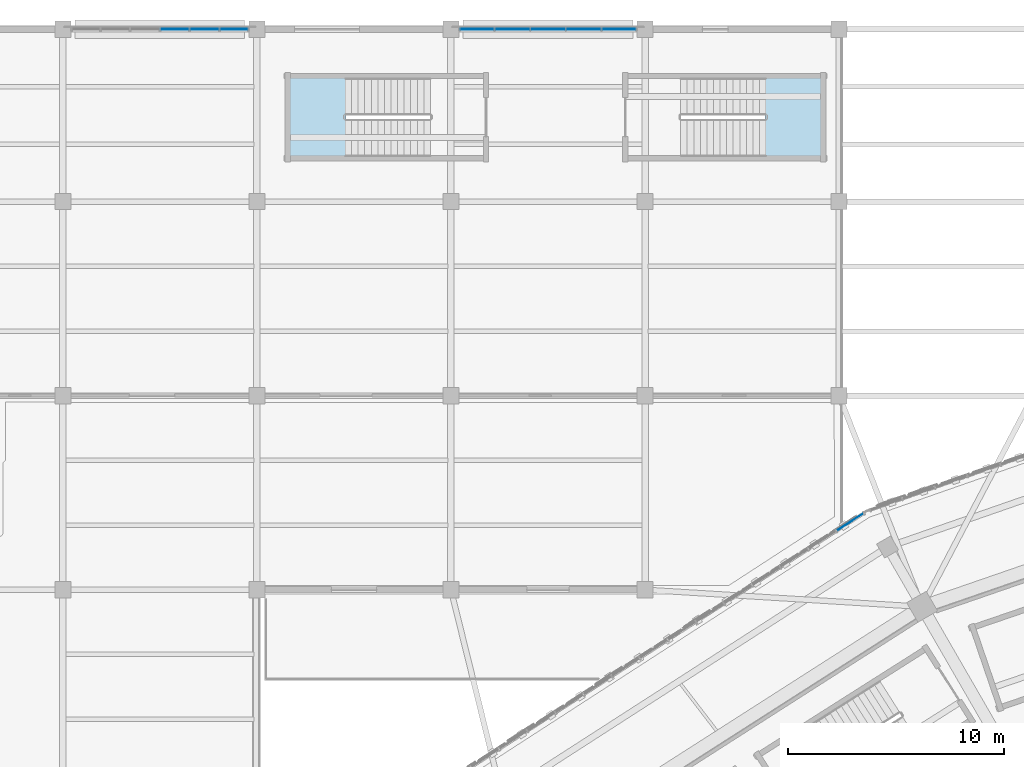
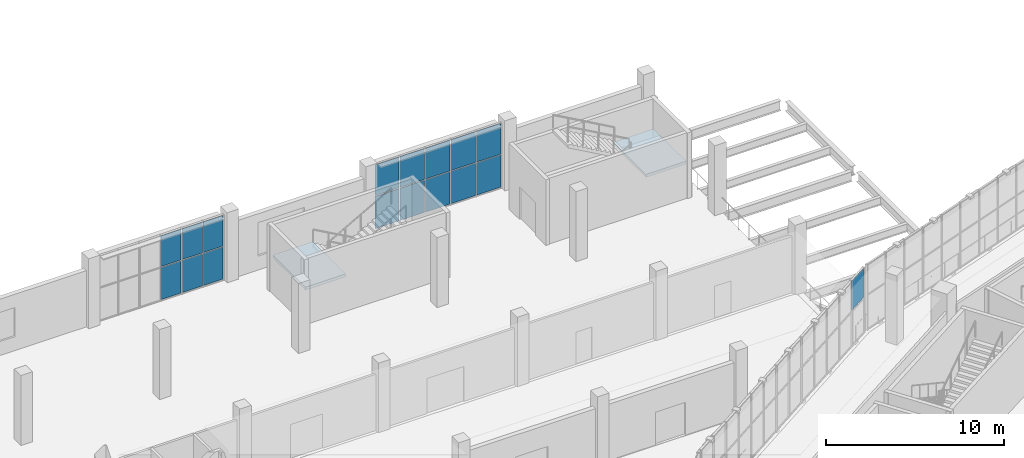
# One storey, part 91 of 179: 17 plates, 2 slabs, 5 elements without a shape of their own.
"""IFC4 building model written with IfcOpenShell, lengths in metres."""

from ifc_helpers import new_model, si_unit, direction, frame, origin, origin_2d, place, context, subcontext, project, spatial, polyline, rectangle, outline, extrude, material, layer, layer_set, type_object, element, aggregate, save


model = new_model("IFC4")

# Units and contexts
model_context = context("Model", 3, precision=1e-05, world=origin(), true_north=direction((0.0, 1.0)))
body_context = subcontext(model_context, "Body", "Model", "MODEL_VIEW")
ifc_project = project(units=[si_unit("LENGTHUNIT", "METRE"), si_unit("AREAUNIT", "SQUARE_METRE"), si_unit("VOLUMEUNIT", "CUBIC_METRE"), si_unit("PLANEANGLEUNIT", "RADIAN"), si_unit("MASSUNIT", "GRAM", prefix="KILO")], contexts=[model_context])

# Site, building, storey
site_placement = place(None, origin())
site = spatial("IfcSite", under=ifc_project, at=site_placement, CompositionType="ELEMENT")
building_placement = place(site_placement, origin())
building = spatial("IfcBuilding", under=site, at=building_placement, Name="Zevraka Park Crest Stadium", CompositionType="ELEMENT")
storey_placement = place(building_placement, frame((0.0, 0.0, 10.199951171875)))
storey = spatial("IfcBuildingStorey", under=building, at=storey_placement, Name="L02", CompositionType="ELEMENT", Elevation=10.199951171875)

# Curtain wall, plate
ifc_material_1 = material(Name="Anodised architectural aluminium and laminated safety glass", Category="aluminium")
curtain_wall_type_1 = type_object("IfcCurtainWallType", Name="CW08", PredefinedType="NOTDEFINED", material=ifc_material_1)
curtain_wall_1_placement = place(storey_placement, origin())
curtain_wall_1 = element("IfcCurtainWall", 1, at=curtain_wall_1_placement, inside=storey, type_object=curtain_wall_type_1, Name="Unitised Ring Curtain Wall CW08 L02-08", PredefinedType="NOTDEFINED")
ifc_material_2 = material(Name="Solar-control laminated double glazing", Category="glass")
ifc_layer_1 = layer(ifc_material_2, 0.028076171875)
ifc_layer_set_1 = layer_set([ifc_layer_1], Name="Solar-control laminated double glazing")
plate_type_1 = type_object("IfcPlateType", Name="CP08", PredefinedType="CURTAIN_PANEL", material=ifc_layer_set_1)
plate_1_placement = place(storey_placement, frame((63.510986328125, 161.141845703125, 2.4326171875), z_axis=(0.0, 0.0, 1.0), x_axis=(-0.839670424967, -0.543096287444, 0.0)))
plate_1 = element("IfcPlate", 2, at=plate_1_placement, type_object=plate_type_1, Name="CW08 panel 1.2", PredefinedType="CURTAIN_PANEL", context=body_context, shape_type="SweptSolid", body=[
    extrude(rectangle(XDim=1.4541015625, YDim=0.028076171875, at=origin_2d()), origin(), (0.0, 0.0, 1.0), 2.00244140625),
])
aggregate(curtain_wall_1, [plate_1])

# Curtain wall, plates
ifc_material_3 = material(Name="Anodised architectural aluminium and laminated safety glass", Category="aluminium")
curtain_wall_type_2 = type_object("IfcCurtainWallType", Name="CW26", PredefinedType="NOTDEFINED", material=ifc_material_3)
curtain_wall_2_placement = place(storey_placement, origin())
curtain_wall_2 = element("IfcCurtainWall", 3, at=curtain_wall_2_placement, inside=storey, type_object=curtain_wall_type_2, Name="Wing Curtain Wall CW26 L02-NW-N2-4", PredefinedType="NOTDEFINED")
ifc_material_4 = material(Name="Solar-control laminated double glazing", Category="glass")
ifc_layer_2 = layer(ifc_material_4, 0.035888671875)
ifc_layer_set_2 = layer_set([ifc_layer_2], Name="Solar-control laminated double glazing")
plate_type_2 = type_object("IfcPlateType", Name="CP26", PredefinedType="CURTAIN_PANEL", material=ifc_layer_set_2)
plate_2_placement = place(storey_placement, frame((32.189208984375, 184.0, 0.06494140625), z_axis=(0.0, 0.0, 1.0), x_axis=(1.0, 0.0, 0.0)))
plate_2 = element("IfcPlate", 4, at=plate_2_placement, type_object=plate_type_2, Name="CW26 panel 4.1", PredefinedType="CURTAIN_PANEL", context=body_context, shape_type="SweptSolid", body=[
    extrude(rectangle(XDim=1.313232421875, YDim=0.035888671875, at=origin_2d()), origin(), (0.0, 0.0, 1.0), 2.202392578125),
])
plate_3_placement = place(storey_placement, frame((32.189208984375, 184.0, 2.33251953125), z_axis=(0.0, 0.0, 1.0), x_axis=(1.0, 0.0, 0.0)))
plate_3 = element("IfcPlate", 5, at=plate_3_placement, type_object=plate_type_2, Name="CW26 panel 4.2", PredefinedType="CURTAIN_PANEL", context=body_context, shape_type="SweptSolid", body=[
    extrude(rectangle(XDim=1.313232421875, YDim=0.035888671875, at=origin_2d()), origin(), (0.0, 0.0, 1.0), 2.1025390625),
])
plate_4_placement = place(storey_placement, frame((33.5673828125, 184.0, 0.06494140625), z_axis=(0.0, 0.0, 1.0), x_axis=(1.0, 0.0, 0.0)))
plate_4 = element("IfcPlate", 6, at=plate_4_placement, type_object=plate_type_2, Name="CW26 panel 5.1", PredefinedType="CURTAIN_PANEL", context=body_context, shape_type="SweptSolid", body=[
    extrude(rectangle(XDim=1.313232421875, YDim=0.035888671875, at=origin_2d()), origin(), (0.0, 0.0, 1.0), 2.202392578125),
])
plate_5_placement = place(storey_placement, frame((33.5673828125, 184.0, 2.33251953125), z_axis=(0.0, 0.0, 1.0), x_axis=(1.0, 0.0, 0.0)))
plate_5 = element("IfcPlate", 7, at=plate_5_placement, type_object=plate_type_2, Name="CW26 panel 5.2", PredefinedType="CURTAIN_PANEL", context=body_context, shape_type="SweptSolid", body=[
    extrude(rectangle(XDim=1.313232421875, YDim=0.035888671875, at=origin_2d()), origin(), (0.0, 0.0, 1.0), 2.1025390625),
])
plate_6_placement = place(storey_placement, frame((34.9296875, 184.0, 0.06494140625), z_axis=(0.0, 0.0, 1.0), x_axis=(1.0, 0.0, 0.0)))
plate_6 = element("IfcPlate", 8, at=plate_6_placement, type_object=plate_type_2, Name="CW26 panel 6.1", PredefinedType="CURTAIN_PANEL", context=body_context, shape_type="SweptSolid", body=[
    extrude(rectangle(XDim=1.28076171875, YDim=0.035888671875, at=origin_2d()), origin(), (0.0, 0.0, 1.0), 2.202392578125),
])
plate_7_placement = place(storey_placement, frame((34.9296875, 184.0, 2.33251953125), z_axis=(0.0, 0.0, 1.0), x_axis=(1.0, 0.0, 0.0)))
plate_7 = element("IfcPlate", 9, at=plate_7_placement, type_object=plate_type_2, Name="CW26 panel 6.2", PredefinedType="CURTAIN_PANEL", context=body_context, shape_type="SweptSolid", body=[
    extrude(rectangle(XDim=1.28076171875, YDim=0.035888671875, at=origin_2d()), origin(), (0.0, 0.0, 1.0), 2.1025390625),
])
aggregate(curtain_wall_2, [plate_2, plate_3, plate_4, plate_5, plate_6, plate_7])

ifc_material_5 = material(Name="Anodised architectural aluminium and laminated safety glass", Category="aluminium")
curtain_wall_type_3 = type_object("IfcCurtainWallType", Name="CW28", PredefinedType="NOTDEFINED", material=ifc_material_5)
curtain_wall_3_placement = place(storey_placement, origin())
curtain_wall_3 = element("IfcCurtainWall", 10, at=curtain_wall_3_placement, inside=storey, type_object=curtain_wall_type_3, Name="Wing Curtain Wall CW28 L02-NW-N2-6", PredefinedType="NOTDEFINED")
ifc_material_6 = material(Name="Solar-control laminated double glazing", Category="glass")
ifc_layer_3 = layer(ifc_material_6, 0.035888671875)
ifc_layer_set_3 = layer_set([ifc_layer_3], Name="Solar-control laminated double glazing")
plate_type_3 = type_object("IfcPlateType", Name="CP28", PredefinedType="CURTAIN_PANEL", material=ifc_layer_set_3)
plate_8_placement = place(storey_placement, frame((46.20703125, 184.0, 0.06005859375), z_axis=(0.0, 0.0, 1.0), x_axis=(1.0, 0.0, 0.0)))
plate_8 = element("IfcPlate", 11, at=plate_8_placement, type_object=plate_type_3, Name="CW28 panel 1.1", PredefinedType="CURTAIN_PANEL", context=body_context, shape_type="SweptSolid", body=[
    extrude(rectangle(XDim=1.56396484375, YDim=0.035888671875, at=origin_2d()), origin(), (0.0, 0.0, 1.0), 2.2099609375),
])
plate_9_placement = place(storey_placement, frame((46.20703125, 184.0, 2.330078125), z_axis=(0.0, 0.0, 1.0), x_axis=(1.0, 0.0, 0.0)))
plate_9 = element("IfcPlate", 12, at=plate_9_placement, type_object=plate_type_3, Name="CW28 panel 1.2", PredefinedType="CURTAIN_PANEL", context=body_context, shape_type="SweptSolid", body=[
    extrude(rectangle(XDim=1.56396484375, YDim=0.035888671875, at=origin_2d()), origin(), (0.0, 0.0, 1.0), 2.110107421875),
])
plate_10_placement = place(storey_placement, frame((47.845947265625, 184.0, 0.06005859375), z_axis=(0.0, 0.0, 1.0), x_axis=(1.0, 0.0, 0.0)))
plate_10 = element("IfcPlate", 13, at=plate_10_placement, type_object=plate_type_3, Name="CW28 panel 2.1", PredefinedType="CURTAIN_PANEL", context=body_context, shape_type="SweptSolid", body=[
    extrude(rectangle(XDim=1.593994140625, YDim=0.035888671875, at=origin_2d()), origin(), (0.0, 0.0, 1.0), 2.2099609375),
])
plate_11_placement = place(storey_placement, frame((47.845947265625, 184.0, 2.330078125), z_axis=(0.0, 0.0, 1.0), x_axis=(1.0, 0.0, 0.0)))
plate_11 = element("IfcPlate", 14, at=plate_11_placement, type_object=plate_type_3, Name="CW28 panel 2.2", PredefinedType="CURTAIN_PANEL", context=body_context, shape_type="SweptSolid", body=[
    extrude(rectangle(XDim=1.593994140625, YDim=0.035888671875, at=origin_2d()), origin(), (0.0, 0.0, 1.0), 2.110107421875),
])
plate_12_placement = place(storey_placement, frame((49.5, 184.0, 0.06005859375), z_axis=(0.0, 0.0, 1.0), x_axis=(1.0, 0.0, 0.0)))
plate_12 = element("IfcPlate", 15, at=plate_12_placement, type_object=plate_type_3, Name="CW28 panel 3.1", PredefinedType="CURTAIN_PANEL", context=body_context, shape_type="SweptSolid", body=[
    extrude(rectangle(XDim=1.593994140625, YDim=0.035888671875, at=origin_2d()), origin(), (0.0, 0.0, 1.0), 2.2099609375),
])
plate_13_placement = place(storey_placement, frame((49.5, 184.0, 2.330078125), z_axis=(0.0, 0.0, 1.0), x_axis=(1.0, 0.0, 0.0)))
plate_13 = element("IfcPlate", 16, at=plate_13_placement, type_object=plate_type_3, Name="CW28 panel 3.2", PredefinedType="CURTAIN_PANEL", context=body_context, shape_type="SweptSolid", body=[
    extrude(rectangle(XDim=1.593994140625, YDim=0.035888671875, at=origin_2d()), origin(), (0.0, 0.0, 1.0), 2.110107421875),
])
plate_14_placement = place(storey_placement, frame((51.154052734375, 184.0, 0.06005859375), z_axis=(0.0, 0.0, 1.0), x_axis=(1.0, 0.0, 0.0)))
plate_14 = element("IfcPlate", 17, at=plate_14_placement, type_object=plate_type_3, Name="CW28 panel 4.1", PredefinedType="CURTAIN_PANEL", context=body_context, shape_type="SweptSolid", body=[
    extrude(rectangle(XDim=1.593994140625, YDim=0.035888671875, at=origin_2d()), origin(), (0.0, 0.0, 1.0), 2.2099609375),
])
plate_15_placement = place(storey_placement, frame((51.154052734375, 184.0, 2.330078125), z_axis=(0.0, 0.0, 1.0), x_axis=(1.0, 0.0, 0.0)))
plate_15 = element("IfcPlate", 18, at=plate_15_placement, type_object=plate_type_3, Name="CW28 panel 4.2", PredefinedType="CURTAIN_PANEL", context=body_context, shape_type="SweptSolid", body=[
    extrude(rectangle(XDim=1.593994140625, YDim=0.035888671875, at=origin_2d()), origin(), (0.0, 0.0, 1.0), 2.110107421875),
])
plate_16_placement = place(storey_placement, frame((52.79296875, 184.0, 0.06005859375), z_axis=(0.0, 0.0, 1.0), x_axis=(1.0, 0.0, 0.0)))
plate_16 = element("IfcPlate", 19, at=plate_16_placement, type_object=plate_type_3, Name="CW28 panel 5.1", PredefinedType="CURTAIN_PANEL", context=body_context, shape_type="SweptSolid", body=[
    extrude(rectangle(XDim=1.56396484375, YDim=0.035888671875, at=origin_2d()), origin(), (0.0, 0.0, 1.0), 2.2099609375),
])
plate_17_placement = place(storey_placement, frame((52.79296875, 184.0, 2.330078125), z_axis=(0.0, 0.0, 1.0), x_axis=(1.0, 0.0, 0.0)))
plate_17 = element("IfcPlate", 20, at=plate_17_placement, type_object=plate_type_3, Name="CW28 panel 5.2", PredefinedType="CURTAIN_PANEL", context=body_context, shape_type="SweptSolid", body=[
    extrude(rectangle(XDim=1.56396484375, YDim=0.035888671875, at=origin_2d()), origin(), (0.0, 0.0, 1.0), 2.110107421875),
])
aggregate(curtain_wall_3, [plate_8, plate_9, plate_10, plate_11, plate_12, plate_13, plate_14, plate_15, plate_16, plate_17])

# Stair, slab
ifc_material_7 = material(Name="Concrete C35/45", Category="concrete")
stair_type = type_object("IfcStairType", Name="STC2", PredefinedType="HALF_TURN_STAIR", material=ifc_material_7)
stair_1_placement = place(storey_placement, origin())
stair_1 = element("IfcStair", 21, at=stair_1_placement, inside=storey, type_object=stair_type, Name="L02 Garden Court Arcade West Stair ST49", PredefinedType="HALF_TURN_STAIR")
ifc_material_8 = material(Name="Concrete C35/45", Category="concrete")
ifc_layer_4 = layer(ifc_material_8, 0.199951171875)
ifc_layer_set_4 = layer_set([ifc_layer_4], Name="Concrete C35/45")
slab_type = type_object("IfcSlabType", Name="LS01", PredefinedType="LANDING", material=ifc_layer_set_4)
slab_1_placement = place(storey_placement, frame((0.0, 0.0, 2.199951171875)))
slab_1 = element("IfcSlab", 22, at=slab_1_placement, type_object=slab_type, Name="ST49 landing 1", PredefinedType="LANDING", context=body_context, shape_type="SweptSolid", body=[
    extrude(outline(polyline([(40.110107421875, 181.75), (37.5, 181.75), (37.5, 178.090087890625), (40.110107421875, 178.090087890625), (40.110107421875, 181.75)])), origin(), (0.0, 0.0, 1.0), 0.2001953125),
])
aggregate(stair_1, [slab_1])

stair_2_placement = place(storey_placement, origin())
stair_2 = element("IfcStair", 23, at=stair_2_placement, inside=storey, type_object=stair_type, Name="L02 Garden Court Arcade East Stair ST50", PredefinedType="HALF_TURN_STAIR")
slab_2_placement = place(storey_placement, frame((0.0, 0.0, 2.199951171875)))
slab_2 = element("IfcSlab", 24, at=slab_2_placement, type_object=slab_type, Name="ST50 landing 1", PredefinedType="LANDING", context=body_context, shape_type="SweptSolid", body=[
    extrude(outline(polyline([(59.590087890625, 178.090087890625), (62.199951171875, 178.090087890625), (62.199951171875, 181.75), (59.590087890625, 181.75), (59.590087890625, 178.090087890625)])), origin(), (0.0, 0.0, 1.0), 0.2001953125),
])
aggregate(stair_2, [slab_2])

save(model, "model.ifc")
